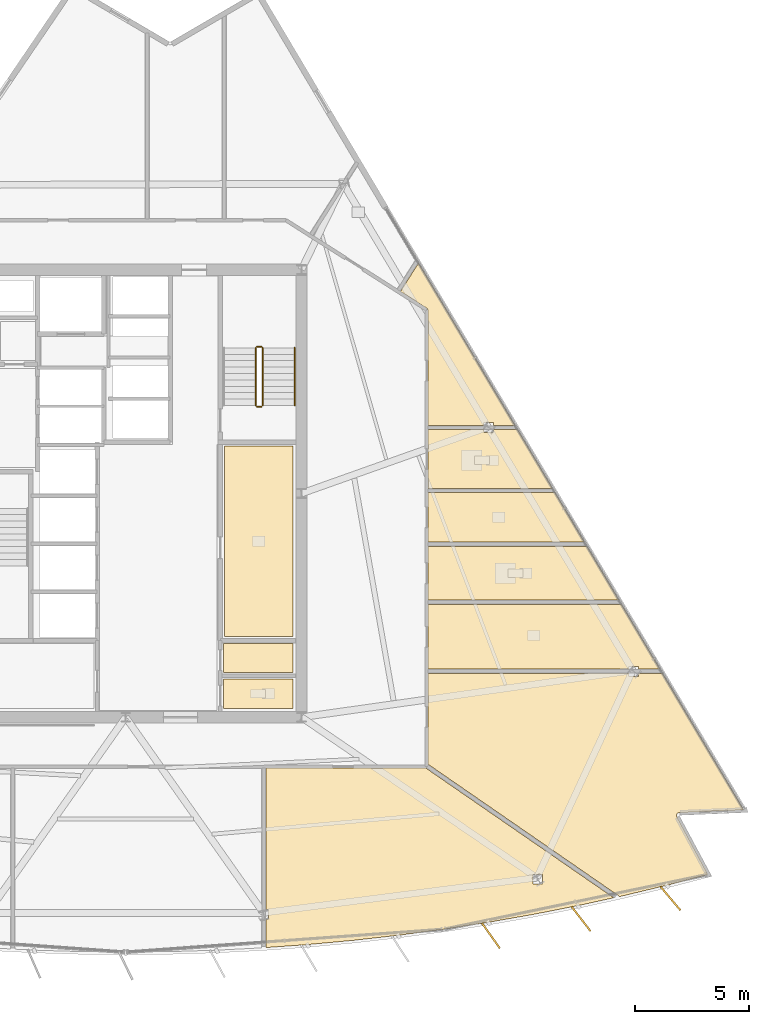
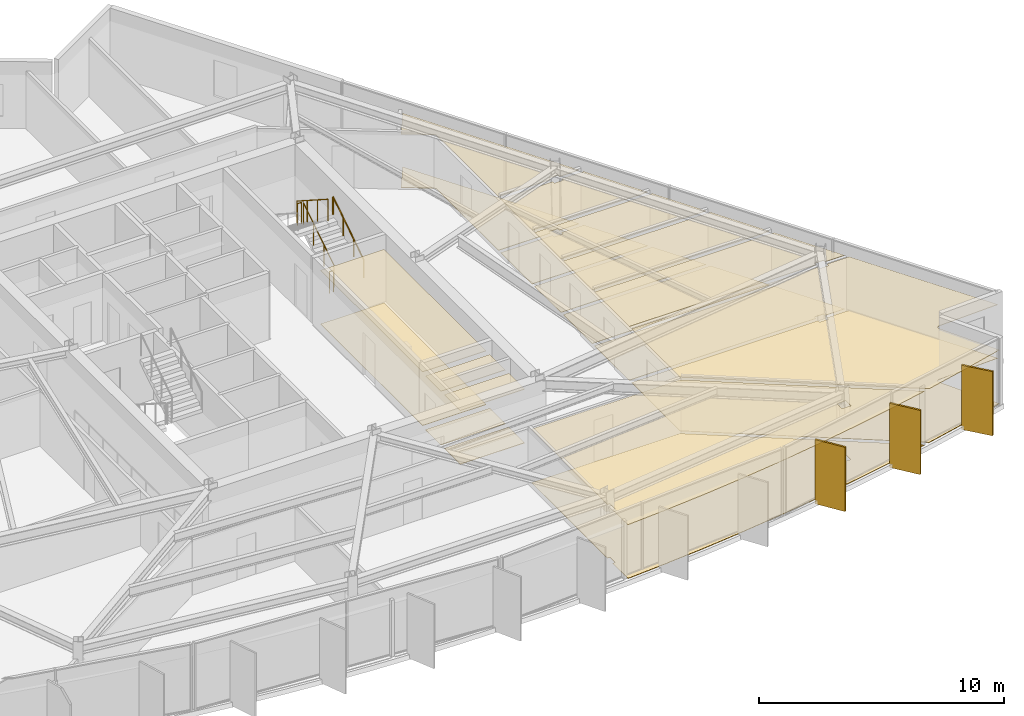
# One storey, part 13 of 15: 20 coverings, 5 railings, 3 shading devices.
"""IFC4 building model written with IfcOpenShell, lengths in metres."""

import ifcopenshell
import ifcopenshell.guid

model = None  # the IFC model being written
_history = None  # IfcOwnerHistory: only IFC2X3 demands one
_inside = {}  # id of a spatial element -> (the spatial element, [elements in it])
_under = {}  # id of a project, library or spatial element -> (it, [spatial elements below it])
_declared = {}  # id of a project -> (the project, [libraries it declares])
_typed = {}  # id of a type object -> (the type object, [elements of that type])
_made_of = {}  # id of a material, layer set ... -> (it, [elements and type objects made of it])


def new_model(schema):
    """Start an empty IFC model of exactly this schema.

    Asked for "IFC4X3", IfcOpenShell would pick the latest addendum, in which some entities
    have other attributes; the version numbers below select the first issue.
    IFC2X3 requires an IfcOwnerHistory on every rooted entity: one is made here for all.
    """
    global model, _history
    if schema == "IFC4X3":
        model = ifcopenshell.file(schema_version=(4, 3, 0, 0))
    else:
        model = ifcopenshell.file(schema=schema)
    _inside.clear()
    _under.clear()
    _declared.clear()
    _typed.clear()
    _made_of.clear()
    _history = None
    if model.schema == "IFC2X3":
        org = make("IfcOrganization", Name="unknown")
        user = make(
            "IfcPersonAndOrganization",
            ThePerson=make("IfcPerson", FamilyName="unknown"),
            TheOrganization=org,
        )
        app = make(
            "IfcApplication",
            ApplicationDeveloper=org,
            Version="unknown",
            ApplicationFullName="unknown",
            ApplicationIdentifier="unknown",
        )
        _history = make(
            "IfcOwnerHistory",
            OwningUser=user,
            OwningApplication=app,
            ChangeAction="ADDED",
            CreationDate=0,
        )
    return model


def make(cls, **values):
    """One entity of the class cls with the attributes given. An attribute that is None is left unset."""
    return model.create_entity(
        cls, **{name: value for name, value in values.items() if value is not None}
    )


def rooted(cls, **values):
    """An entity with a GlobalId (a new one), such as an element, a storey or a relation."""
    return make(cls, GlobalId=ifcopenshell.guid.new(), OwnerHistory=_history, **values)


def si_unit(unit_type, name, prefix=None):
    """IfcSIUnit, for example si_unit("LENGTHUNIT", "METRE", prefix="MILLI")."""
    return make("IfcSIUnit", UnitType=unit_type, Prefix=prefix, Name=name)


def assignment(units):
    """IfcUnitAssignment: the units of a project."""
    return None if units is None else make("IfcUnitAssignment", Units=units)


def point(xyz):
    """IfcCartesianPoint."""
    return None if xyz is None else make("IfcCartesianPoint", Coordinates=xyz)


def direction(xyz):
    """IfcDirection."""
    return None if xyz is None else make("IfcDirection", DirectionRatios=xyz)


def frame(location, z_axis=None, x_axis=None):
    """IfcAxis2Placement3D, a coordinate frame: its origin and axes. An axis left out is left unset."""
    return make(
        "IfcAxis2Placement3D",
        Location=point(location),
        Axis=direction(z_axis),
        RefDirection=direction(x_axis),
    )


def frame_2d(location, x_axis=None):
    """IfcAxis2Placement2D, a coordinate frame in the plane: its origin and x axis."""
    return make(
        "IfcAxis2Placement2D", Location=point(location), RefDirection=direction(x_axis)
    )


def origin():
    """The frame at (0, 0, 0) with its axes left unset."""
    return frame((0.0, 0.0, 0.0))


def origin_2d():
    """The frame at (0, 0) in the plane with its x axis left unset."""
    return frame_2d((0.0, 0.0))


def place(relative_to, where):
    """IfcLocalPlacement: puts the frame where relative to a parent placement (None: the world)."""
    return make(
        "IfcLocalPlacement", PlacementRelTo=relative_to, RelativePlacement=where
    )


def context(
    kind, dimensions, precision=None, world=None, true_north=None, identifier=None
):
    """IfcGeometricRepresentationContext, for example the 3D "Model" context."""
    return make(
        "IfcGeometricRepresentationContext",
        ContextIdentifier=identifier,
        ContextType=kind,
        CoordinateSpaceDimension=dimensions,
        Precision=precision,
        WorldCoordinateSystem=world,
        TrueNorth=true_north,
    )


def subcontext(parent, identifier, kind, view, scale=None):
    """IfcGeometricRepresentationSubContext, for example "Body" below "Model"."""
    return make(
        "IfcGeometricRepresentationSubContext",
        ContextIdentifier=identifier,
        ContextType=kind,
        ParentContext=parent,
        TargetScale=scale,
        TargetView=view,
    )


def project(units=None, contexts=None):
    """IfcProject with its units and contexts."""
    return rooted(
        "IfcProject",
        Name="project",
        RepresentationContexts=contexts,
        UnitsInContext=assignment(units),
    )


def spatial(cls, under=None, at=None, **own):
    """A site, building, storey or space (cls), placed at a placement, below another one or the project."""
    s = rooted(cls, ObjectPlacement=at, **own)
    if under is not None:
        _under.setdefault(under.id(), (under, []))[1].append(s)
    return s


def polyline(points):
    """IfcPolyline through the points."""
    return make("IfcPolyline", Points=[point(p) for p in points])


def profile(cls, at=None, kind="AREA", **sizes):
    """A parametric profile (cls). Its sizes go by their IFC names, for example OverallWidth=200.0."""
    return make(cls, ProfileType=kind, Position=at, **sizes)


def rectangle(**sizes):
    """IfcRectangleProfileDef."""
    return profile("IfcRectangleProfileDef", **sizes)


def circle(**sizes):
    """IfcCircleProfileDef."""
    return profile("IfcCircleProfileDef", **sizes)


def outline(outer, holes=None, kind="AREA"):
    """IfcArbitraryClosedProfileDef: a profile drawn as a closed curve; with holes, ...WithVoids."""
    if holes is None:
        return make("IfcArbitraryClosedProfileDef", ProfileType=kind, OuterCurve=outer)
    return make(
        "IfcArbitraryProfileDefWithVoids",
        ProfileType=kind,
        OuterCurve=outer,
        InnerCurves=holes,
    )


def extrude(swept, where, along, depth):
    """IfcExtrudedAreaSolid: the profile swept, set in the frame where, extruded along a direction by depth."""
    return make(
        "IfcExtrudedAreaSolid",
        SweptArea=swept,
        Position=where,
        ExtrudedDirection=direction(along),
        Depth=depth,
    )


def shape(context_of_items, identifier, shape_type, items):
    """IfcShapeRepresentation: the items that make up one representation, for example the "Body"."""
    return make(
        "IfcShapeRepresentation",
        ContextOfItems=context_of_items,
        RepresentationIdentifier=identifier,
        RepresentationType=shape_type,
        Items=items,
    )


def material(Name=None, Category=None):
    """IfcMaterial."""
    return make("IfcMaterial", Name=Name, Category=Category)


def layer(
    of_material, thickness, ventilated=None, Name=None, Category=None, Priority=None
):
    """IfcMaterialLayer: one layer of a wall or slab, of a material (None: an air gap)."""
    return make(
        "IfcMaterialLayer",
        Material=of_material,
        LayerThickness=thickness,
        IsVentilated=ventilated,
        Name=Name,
        Category=Category,
        Priority=Priority,
    )


def layer_set(layers, Name=None):
    """IfcMaterialLayerSet."""
    return make("IfcMaterialLayerSet", MaterialLayers=layers, LayerSetName=Name)


def made_of(thing, what):
    """Note that an element or type object is made of a material, layer set ...; save() writes the relation."""
    if what is not None:
        _made_of.setdefault(what.id(), (what, []))[1].append(thing)
    return thing


def type_object(cls, material=None, **own):
    """A type object (cls), such as IfcWallType, which elements share."""
    return made_of(rooted(cls, **own), material)


def element(
    cls,
    number,
    at=None,
    inside=None,
    cuts=None,
    type_object=None,
    material=None,
    context=None,
    identifier="Body",
    shape_type=None,
    held_by="IfcProductDefinitionShape",
    body=None,
    shapes=None,
    **own,
):
    """One element of the class cls, such as IfcWall. Its Tag is "e" and its number.

    at: its placement. inside: the storey or other place that contains it. cuts: it is an
    opening in that element (IfcRelVoidsElement). A single representation is given by context,
    identifier, shape_type and body (its items); several are given by shapes. held_by: the class
    of the entity that holds the representations. save() writes the other relations.
    """
    e = rooted(cls, Tag="e%d" % number, ObjectPlacement=at, **own)
    if body is not None:
        shapes = [shape(context, identifier, shape_type, body)]
    if shapes is not None:
        e.Representation = make(held_by, Representations=shapes)
    if inside is not None:
        _inside.setdefault(inside.id(), (inside, []))[1].append(e)
    if cuts is not None:
        rooted(
            "IfcRelVoidsElement", RelatingBuildingElement=cuts, RelatedOpeningElement=e
        )
    if type_object is not None:
        _typed.setdefault(type_object.id(), (type_object, []))[1].append(e)
    return made_of(e, material)


def aggregate(whole, parts):
    """IfcRelAggregates: a whole, such as a stair, and the parts it consists of."""
    return rooted("IfcRelAggregates", RelatingObject=whole, RelatedObjects=parts)


def save(model, path):
    """Write the relations noted so far, then the file.

    IfcRelAggregates (storeys below a building ...), IfcRelContainedInSpatialStructure (elements
    in a storey), IfcRelDefinesByType, IfcRelAssociatesMaterial and IfcRelDeclares: one each for
    every whole, place, type object, material and project.
    """
    for whole, parts in _under.values():
        aggregate(whole, parts)
    for where, things in _inside.values():
        rooted(
            "IfcRelContainedInSpatialStructure",
            RelatedElements=things,
            RelatingStructure=where,
        )
    for kind, things in _typed.values():
        rooted("IfcRelDefinesByType", RelatedObjects=things, RelatingType=kind)
    for what, things in _made_of.values():
        rooted("IfcRelAssociatesMaterial", RelatedObjects=things, RelatingMaterial=what)
    for by, libraries in _declared.values():
        rooted("IfcRelDeclares", RelatingContext=by, RelatedDefinitions=libraries)
    model.write(path)


model = new_model("IFC4")

# Units and contexts
model_context = context("Model", 3, precision=1e-05, world=origin(), true_north=direction((0.0, 1.0)))
body_context = subcontext(model_context, "Body", "Model", "MODEL_VIEW")
ifc_project = project(units=[si_unit("LENGTHUNIT", "METRE"), si_unit("AREAUNIT", "SQUARE_METRE"), si_unit("VOLUMEUNIT", "CUBIC_METRE"), si_unit("PLANEANGLEUNIT", "RADIAN"), si_unit("MASSUNIT", "GRAM", prefix="KILO")], contexts=[model_context])

# Site, building, storey
site_placement = place(None, origin())
site = spatial("IfcSite", under=ifc_project, at=site_placement, CompositionType="ELEMENT")
building_placement = place(site_placement, origin())
building = spatial("IfcBuilding", under=site, at=building_placement, Name="Savorim Split Tower", CompositionType="ELEMENT")
storey_placement = place(building_placement, frame((0.0, 0.0, 142.199951171875)))
storey = spatial("IfcBuildingStorey", under=building, at=storey_placement, Name="L37", CompositionType="ELEMENT", Elevation=142.199951171875)

# Coverings
ifc_material_1 = material(Name="Mineral Fibre Acoustic Ceiling")
ifc_layer_1 = layer(ifc_material_1, 0.02490234375)
ifc_layer_set_1 = layer_set([ifc_layer_1], Name="COV-CEIL-25")
covering_type_1 = type_object("IfcCoveringType", Name="COV-CEIL-25", PredefinedType="CEILING", material=ifc_layer_set_1)
covering_1_placement = place(storey_placement, frame((0.0, 0.0, 2.670166015625)))
element("IfcCovering", 1, at=covering_1_placement, inside=storey, type_object=covering_type_1, Name="L37 Community Laundry Room Acoustic Ceiling", PredefinedType="CEILING", context=body_context, shape_type="SweptSolid", body=[
    extrude(outline(polyline([(4.330078125, 2.469970703125), (4.330078125, -5.8701171875), (7.320068359375, -5.8701171875), (7.320068359375, 2.469970703125), (4.330078125, 2.469970703125)])), origin(), (0.0, 0.0, 1.0), 0.02490234375),
])
covering_2_placement = place(storey_placement, frame((0.0, 0.0, 2.670166015625)))
element("IfcCovering", 2, at=covering_2_placement, inside=storey, type_object=covering_type_1, Name="L37 Accessible WC Acoustic Ceiling", PredefinedType="CEILING", context=body_context, shape_type="SweptSolid", body=[
    extrude(outline(polyline([(4.280029296875, -7.719970703125), (4.280029296875, -9.02001953125), (7.320068359375, -9.02001953125), (7.320068359375, -7.719970703125), (4.280029296875, -7.719970703125)])), origin(), (0.0, 0.0, 1.0), 0.02490234375),
])
covering_3_placement = place(storey_placement, frame((0.0, 0.0, 2.670166015625)))
element("IfcCovering", 3, at=covering_3_placement, inside=storey, type_object=covering_type_1, Name="L37 Cleaning Store Acoustic Ceiling", PredefinedType="CEILING", context=body_context, shape_type="SweptSolid", body=[
    extrude(outline(polyline([(4.280029296875, -6.179931640625), (4.280029296875, -7.43994140625), (7.320068359375, -7.43994140625), (7.320068359375, -6.179931640625), (4.280029296875, -6.179931640625)])), origin(), (0.0, 0.0, 1.0), 0.02490234375),
])
covering_4_placement = place(storey_placement, frame((0.0, 0.0, 2.670166015625)))
element("IfcCovering", 4, at=covering_4_placement, inside=storey, type_object=covering_type_1, Name="L37 Co-Working Commons Acoustic Ceiling", PredefinedType="CEILING", context=body_context, shape_type="SweptSolid", body=[
    extrude(outline(polyline([(15.89599609375, -18.37744140625), (17.86181640625, -18.031982421875), (19.8203125, -17.646484375), (21.37646484375, -17.306884765625), (13.13330078125, -11.61572265625), (13.127197265625, -11.6171875), (13.11376953125, -11.619384765625), (13.10009765625, -11.6201171875), (6.142822265625, -11.6201171875), (6.142822265625, -17.816650390625), (6.259765625, -17.816650390625), (6.259765625, -18.24365234375), (6.142822265625, -18.24365234375), (6.142822265625, -19.443115234375), (6.142822265625, -19.486328125), (7.974853515625, -19.35498046875), (9.962158203125, -19.17138671875), (11.945556640625, -18.947265625), (13.923828125, -18.6826171875), (15.89599609375, -18.37744140625)]), holes=[polyline([(18.2568359375, -16.703369140625), (18.2568359375, -16.2763671875), (17.832763671875, -16.2763671875), (17.832763671875, -16.703369140625), (18.2568359375, -16.703369140625)])]), origin(), (0.0, 0.0, 1.0), 0.02490234375),
])
covering_5_placement = place(storey_placement, frame((0.0, 0.0, 2.670166015625)))
element("IfcCovering", 5, at=covering_5_placement, inside=storey, type_object=covering_type_1, Name="L37 Maker Workshop Acoustic Ceiling", PredefinedType="CEILING", context=body_context, shape_type="SweptSolid", body=[
    extrude(outline(polyline([(24.2138671875, -13.5810546875), (24.22509765625, -13.5791015625), (24.236572265625, -13.577880859375), (27.058837890625, -13.457763671875), (23.489501953125, -7.455078125), (23.489501953125, -7.488037109375), (22.464599609375, -7.488037109375), (22.464599609375, -7.606689453125), (22.04052734375, -7.606689453125), (22.04052734375, -7.488037109375), (13.239990234375, -7.488037109375), (13.239990234375, -11.45849609375), (21.630615234375, -17.25146484375), (21.770263671875, -17.220947265625), (23.711181640625, -16.755615234375), (25.495849609375, -16.288818359375), (24.135986328125, -13.75439453125), (24.131103515625, -13.744140625), (24.127197265625, -13.7333984375), (24.124267578125, -13.72216796875), (24.122314453125, -13.710693359375), (24.12158203125, -13.69921875), (24.1220703125, -13.6875), (24.123779296875, -13.67626953125), (24.126220703125, -13.664794921875), (24.1298828125, -13.654052734375), (24.134765625, -13.6435546875), (24.140380859375, -13.63330078125), (24.147216796875, -13.6240234375), (24.154541015625, -13.615234375), (24.162841796875, -13.607421875), (24.172119140625, -13.60009765625), (24.181640625, -13.593994140625), (24.19189453125, -13.588623046875), (24.20263671875, -13.584228515625), (24.2138671875, -13.5810546875)])), origin(), (0.0, 0.0, 1.0), 0.02490234375),
])
covering_6_placement = place(storey_placement, frame((0.0, 0.0, 2.670166015625)))
element("IfcCovering", 6, at=covering_6_placement, inside=storey, type_object=covering_type_1, Name="L37 Shared Kitchen Acoustic Ceiling", PredefinedType="CEILING", context=body_context, shape_type="SweptSolid", body=[
    extrude(outline(polyline([(22.464599609375, -7.1796875), (22.464599609375, -7.298095703125), (23.39453125, -7.298095703125), (23.396240234375, -7.298095703125), (21.713134765625, -4.4677734375), (13.239990234375, -4.4677734375), (13.239990234375, -7.298095703125), (22.04052734375, -7.298095703125), (22.04052734375, -7.1796875), (22.464599609375, -7.1796875)])), origin(), (0.0, 0.0, 1.0), 0.02490234375),
])
covering_7_placement = place(storey_placement, frame((0.0, 0.0, 2.670166015625)))
element("IfcCovering", 7, at=covering_7_placement, inside=storey, type_object=covering_type_1, Name="L37 Shared Bathroom Acoustic Ceiling", PredefinedType="CEILING", context=body_context, shape_type="SweptSolid", body=[
    extrude(outline(polyline([(21.60009765625, -4.277587890625), (20.195556640625, -1.915283203125), (13.239990234375, -1.915283203125), (13.239990234375, -4.277587890625), (21.60009765625, -4.277587890625)])), origin(), (0.0, 0.0, 1.0), 0.02490234375),
])
covering_8_placement = place(storey_placement, frame((0.0, 0.0, 2.670166015625)))
element("IfcCovering", 8, at=covering_8_placement, inside=storey, type_object=covering_type_1, Name="L37 Shared Kitchen Acoustic Ceiling", PredefinedType="CEILING", context=body_context, shape_type="SweptSolid", body=[
    extrude(outline(polyline([(20.08251953125, -1.725341796875), (18.80078125, 0.43017578125), (13.239990234375, 0.43017578125), (13.239990234375, -1.725341796875), (20.08251953125, -1.725341796875)])), origin(), (0.0, 0.0, 1.0), 0.02490234375),
])
covering_9_placement = place(storey_placement, frame((0.0, 0.0, 2.670166015625)))
element("IfcCovering", 9, at=covering_9_placement, inside=storey, type_object=covering_type_1, Name="L37 Shared Bathroom Acoustic Ceiling", PredefinedType="CEILING", context=body_context, shape_type="SweptSolid", body=[
    extrude(outline(polyline([(15.69140625, 3.071044921875), (15.69140625, 3.189453125), (13.239990234375, 3.189453125), (13.239990234375, 0.6201171875), (18.68798828125, 0.6201171875), (17.140380859375, 3.222412109375), (17.140380859375, 3.189453125), (16.115478515625, 3.189453125), (16.115478515625, 3.071044921875), (15.69140625, 3.071044921875)])), origin(), (0.0, 0.0, 1.0), 0.02490234375),
])
covering_10_placement = place(storey_placement, frame((0.0, 0.0, 2.670166015625)))
element("IfcCovering", 10, at=covering_10_placement, inside=storey, type_object=covering_type_1, Name="L37 Co-Living Bedroom Acoustic Ceiling", PredefinedType="CEILING", context=body_context, shape_type="SweptSolid", body=[
    extrude(outline(polyline([(16.115478515625, 3.498046875), (16.115478515625, 3.37939453125), (17.04541015625, 3.37939453125), (17.047119140625, 3.37939453125), (12.8232421875, 10.48291015625), (12.034912109375, 9.243408203125), (13.175048828125, 8.51806640625), (13.1865234375, 8.510009765625), (13.197265625, 8.500732421875), (13.206787109375, 8.490478515625), (13.21533203125, 8.479248046875), (13.22265625, 8.46728515625), (13.22900390625, 8.45458984375), (13.233642578125, 8.44140625), (13.2373046875, 8.427978515625), (13.2392578125, 8.4140625), (13.239990234375, 8.39990234375), (13.239990234375, 3.37939453125), (15.69140625, 3.37939453125), (15.69140625, 3.498046875), (16.115478515625, 3.498046875)])), origin(), (0.0, 0.0, 1.0), 0.02490234375),
])
ifc_material_2 = material(Name="Porcelain Stoneware Flooring", Category="masonry")
ifc_layer_2 = layer(ifc_material_2, 0.02001953125)
ifc_layer_set_2 = layer_set([ifc_layer_2], Name="COV-FLOR-20")
covering_type_2 = type_object("IfcCoveringType", Name="COV-FLOR-20", PredefinedType="FLOORING", material=ifc_layer_set_2)
covering_11_placement = place(storey_placement, origin())
element("IfcCovering", 11, at=covering_11_placement, inside=storey, type_object=covering_type_2, Name="L37 Community Laundry Room Porcelain Flooring", PredefinedType="FLOORING", context=body_context, shape_type="SweptSolid", body=[
    extrude(outline(polyline([(4.330078125, 2.469970703125), (4.330078125, -5.8701171875), (7.320068359375, -5.8701171875), (7.320068359375, 2.469970703125), (4.330078125, 2.469970703125)])), origin(), (0.0, 0.0, 1.0), 0.02001953125),
])
covering_12_placement = place(storey_placement, origin())
element("IfcCovering", 12, at=covering_12_placement, inside=storey, type_object=covering_type_2, Name="L37 Accessible WC Porcelain Flooring", PredefinedType="FLOORING", context=body_context, shape_type="SweptSolid", body=[
    extrude(outline(polyline([(4.280029296875, -7.719970703125), (4.280029296875, -9.02001953125), (7.320068359375, -9.02001953125), (7.320068359375, -7.719970703125), (4.280029296875, -7.719970703125)])), origin(), (0.0, 0.0, 1.0), 0.02001953125),
])
covering_13_placement = place(storey_placement, origin())
element("IfcCovering", 13, at=covering_13_placement, inside=storey, type_object=covering_type_2, Name="L37 Cleaning Store Porcelain Flooring", PredefinedType="FLOORING", context=body_context, shape_type="SweptSolid", body=[
    extrude(outline(polyline([(4.280029296875, -6.179931640625), (4.280029296875, -7.43994140625), (7.320068359375, -7.43994140625), (7.320068359375, -6.179931640625), (4.280029296875, -6.179931640625)])), origin(), (0.0, 0.0, 1.0), 0.02001953125),
])
covering_14_placement = place(storey_placement, origin())
element("IfcCovering", 14, at=covering_14_placement, inside=storey, type_object=covering_type_2, Name="L37 Co-Working Commons Porcelain Flooring", PredefinedType="FLOORING", context=body_context, shape_type="SweptSolid", body=[
    extrude(outline(polyline([(15.89599609375, -18.37744140625), (17.86181640625, -18.031982421875), (19.8203125, -17.646484375), (21.37646484375, -17.306884765625), (13.13330078125, -11.61572265625), (13.127197265625, -11.6171875), (13.11376953125, -11.619384765625), (13.10009765625, -11.6201171875), (6.142822265625, -11.6201171875), (6.142822265625, -17.816650390625), (6.259765625, -17.816650390625), (6.259765625, -18.24365234375), (6.142822265625, -18.24365234375), (6.142822265625, -19.443115234375), (6.142822265625, -19.486328125), (7.974853515625, -19.35498046875), (9.962158203125, -19.17138671875), (11.945556640625, -18.947265625), (13.923828125, -18.6826171875), (15.89599609375, -18.37744140625)]), holes=[polyline([(18.2568359375, -16.703369140625), (18.2568359375, -16.2763671875), (17.832763671875, -16.2763671875), (17.832763671875, -16.703369140625), (18.2568359375, -16.703369140625)])]), origin(), (0.0, 0.0, 1.0), 0.02001953125),
])
covering_15_placement = place(storey_placement, origin())
element("IfcCovering", 15, at=covering_15_placement, inside=storey, type_object=covering_type_2, Name="L37 Maker Workshop Porcelain Flooring", PredefinedType="FLOORING", context=body_context, shape_type="SweptSolid", body=[
    extrude(outline(polyline([(24.2138671875, -13.5810546875), (24.22509765625, -13.5791015625), (24.236572265625, -13.577880859375), (27.058837890625, -13.457763671875), (23.489501953125, -7.455078125), (23.489501953125, -7.488037109375), (22.464599609375, -7.488037109375), (22.464599609375, -7.606689453125), (22.04052734375, -7.606689453125), (22.04052734375, -7.488037109375), (13.239990234375, -7.488037109375), (13.239990234375, -11.45849609375), (21.630615234375, -17.25146484375), (21.770263671875, -17.220947265625), (23.711181640625, -16.755615234375), (25.495849609375, -16.288818359375), (24.135986328125, -13.75439453125), (24.131103515625, -13.744140625), (24.127197265625, -13.7333984375), (24.124267578125, -13.72216796875), (24.122314453125, -13.710693359375), (24.12158203125, -13.69921875), (24.1220703125, -13.6875), (24.123779296875, -13.67626953125), (24.126220703125, -13.664794921875), (24.1298828125, -13.654052734375), (24.134765625, -13.6435546875), (24.140380859375, -13.63330078125), (24.147216796875, -13.6240234375), (24.154541015625, -13.615234375), (24.162841796875, -13.607421875), (24.172119140625, -13.60009765625), (24.181640625, -13.593994140625), (24.19189453125, -13.588623046875), (24.20263671875, -13.584228515625), (24.2138671875, -13.5810546875)])), origin(), (0.0, 0.0, 1.0), 0.02001953125),
])
covering_16_placement = place(storey_placement, origin())
element("IfcCovering", 16, at=covering_16_placement, inside=storey, type_object=covering_type_2, Name="L37 Shared Kitchen Porcelain Flooring", PredefinedType="FLOORING", context=body_context, shape_type="SweptSolid", body=[
    extrude(outline(polyline([(22.464599609375, -7.1796875), (22.464599609375, -7.298095703125), (23.39453125, -7.298095703125), (23.396240234375, -7.298095703125), (21.713134765625, -4.4677734375), (13.239990234375, -4.4677734375), (13.239990234375, -7.298095703125), (22.04052734375, -7.298095703125), (22.04052734375, -7.1796875), (22.464599609375, -7.1796875)])), origin(), (0.0, 0.0, 1.0), 0.02001953125),
])
covering_17_placement = place(storey_placement, origin())
element("IfcCovering", 17, at=covering_17_placement, inside=storey, type_object=covering_type_2, Name="L37 Shared Bathroom Porcelain Flooring", PredefinedType="FLOORING", context=body_context, shape_type="SweptSolid", body=[
    extrude(outline(polyline([(21.60009765625, -4.277587890625), (20.195556640625, -1.915283203125), (13.239990234375, -1.915283203125), (13.239990234375, -4.277587890625), (21.60009765625, -4.277587890625)])), origin(), (0.0, 0.0, 1.0), 0.02001953125),
])
covering_18_placement = place(storey_placement, origin())
element("IfcCovering", 18, at=covering_18_placement, inside=storey, type_object=covering_type_2, Name="L37 Shared Kitchen Porcelain Flooring", PredefinedType="FLOORING", context=body_context, shape_type="SweptSolid", body=[
    extrude(outline(polyline([(20.08251953125, -1.725341796875), (18.80078125, 0.43017578125), (13.239990234375, 0.43017578125), (13.239990234375, -1.725341796875), (20.08251953125, -1.725341796875)])), origin(), (0.0, 0.0, 1.0), 0.02001953125),
])
covering_19_placement = place(storey_placement, origin())
element("IfcCovering", 19, at=covering_19_placement, inside=storey, type_object=covering_type_2, Name="L37 Shared Bathroom Porcelain Flooring", PredefinedType="FLOORING", context=body_context, shape_type="SweptSolid", body=[
    extrude(outline(polyline([(15.69140625, 3.071044921875), (15.69140625, 3.189453125), (13.239990234375, 3.189453125), (13.239990234375, 0.6201171875), (18.68798828125, 0.6201171875), (17.140380859375, 3.222412109375), (17.140380859375, 3.189453125), (16.115478515625, 3.189453125), (16.115478515625, 3.071044921875), (15.69140625, 3.071044921875)])), origin(), (0.0, 0.0, 1.0), 0.02001953125),
])
covering_20_placement = place(storey_placement, origin())
element("IfcCovering", 20, at=covering_20_placement, inside=storey, type_object=covering_type_2, Name="L37 Co-Living Bedroom Porcelain Flooring", PredefinedType="FLOORING", context=body_context, shape_type="SweptSolid", body=[
    extrude(outline(polyline([(16.115478515625, 3.498046875), (16.115478515625, 3.37939453125), (17.04541015625, 3.37939453125), (17.047119140625, 3.37939453125), (12.8232421875, 10.48291015625), (12.034912109375, 9.243408203125), (13.175048828125, 8.51806640625), (13.1865234375, 8.510009765625), (13.197265625, 8.500732421875), (13.206787109375, 8.490478515625), (13.21533203125, 8.479248046875), (13.22265625, 8.46728515625), (13.22900390625, 8.45458984375), (13.233642578125, 8.44140625), (13.2373046875, 8.427978515625), (13.2392578125, 8.4140625), (13.239990234375, 8.39990234375), (13.239990234375, 3.37939453125), (15.69140625, 3.37939453125), (15.69140625, 3.498046875), (16.115478515625, 3.498046875)])), origin(), (0.0, 0.0, 1.0), 0.02001953125),
])

# Railings
ifc_material_3 = material(Name="Galvanised Painted Steel Balustrade", Category="steel")
railing_type_1 = type_object("IfcRailingType", Name="RLG-HR-900", PredefinedType="HANDRAIL", material=ifc_material_3)
railing_1_placement = place(storey_placement, frame((7.39990234375, 4.25, 0.179931640625)))
element("IfcRailing", 21, at=railing_1_placement, inside=storey, type_object=railing_type_1, Name="L37 ST-2 stair handrail 1", PredefinedType="HANDRAIL", context=body_context, shape_type="SweptSolid", body=[
    extrude(circle(Radius=0.02392578125, at=origin_2d()), frame((0.0, 0.0, 0.8759765625), z_axis=(0.0, 0.841162588446, 0.540782303519), x_axis=(-1.0, 0.0, 0.0)), (0.0, 0.0, 1.0), 2.995849609375),
    extrude(circle(Radius=0.02099609375, at=origin_2d()), origin(), (0.0, 0.0, 1.0), 0.851806640625),
    extrude(circle(Radius=0.02099609375, at=origin_2d()), frame((0.0, 0.840087890625, 0.5400390625)), (0.0, 0.0, 1.0), 0.851806640625),
    extrude(circle(Radius=0.02099609375, at=origin_2d()), frame((0.0, 1.679931640625, 1.080078125)), (0.0, 0.0, 1.0), 0.851806640625),
    extrude(circle(Radius=0.02099609375, at=origin_2d()), frame((0.0, 2.52001953125, 1.6201171875)), (0.0, 0.0, 1.0), 0.851806640625),
])
railing_type_2 = type_object("IfcRailingType", Name="RLG-STG-1100", PredefinedType="BALUSTRADE", material=ifc_material_3)
railing_2_placement = place(storey_placement, frame((6.0, 4.25, 0.179931640625)))
element("IfcRailing", 22, at=railing_2_placement, inside=storey, type_object=railing_type_2, Name="L37 ST-2 stair guard 1", PredefinedType="BALUSTRADE", context=body_context, shape_type="SweptSolid", body=[
    extrude(circle(Radius=0.02392578125, at=origin_2d()), frame((0.0, 0.0, 1.076171875), z_axis=(0.0, 0.841162588446, 0.540782303519), x_axis=(-1.0, 0.0, 0.0)), (0.0, 0.0, 1.0), 2.995849609375),
    extrude(circle(Radius=0.02099609375, at=origin_2d()), origin(), (0.0, 0.0, 1.0), 1.052001953125),
    extrude(circle(Radius=0.02099609375, at=origin_2d()), frame((0.0, 0.840087890625, 0.5400390625)), (0.0, 0.0, 1.0), 1.052001953125),
    extrude(circle(Radius=0.02099609375, at=origin_2d()), frame((0.0, 1.679931640625, 1.080078125)), (0.0, 0.0, 1.0), 1.052001953125),
    extrude(circle(Radius=0.02099609375, at=origin_2d()), frame((0.0, 2.52001953125, 1.6201171875)), (0.0, 0.0, 1.0), 1.052001953125),
])
railing_3_placement = place(storey_placement, frame((5.949951171875, 6.820068359375, 1.800048828125)))
element("IfcRailing", 23, at=railing_3_placement, inside=storey, type_object=railing_type_2, Name="L37 ST-2 stair guard 2", PredefinedType="BALUSTRADE", context=body_context, shape_type="SweptSolid", body=[
    extrude(circle(Radius=0.02392578125, at=origin_2d()), frame((0.0, 0.0, 1.076171875), z_axis=(-1.0, 0.0, 0.0), x_axis=(0.0, -1.0, 0.0)), (0.0, 0.0, 1.0), 0.199951171875),
    extrude(circle(Radius=0.02099609375, at=origin_2d()), origin(), (0.0, 0.0, 1.0), 1.052001953125),
    extrude(circle(Radius=0.02099609375, at=origin_2d()), frame((-0.199951171875, 0.0, 0.0)), (0.0, 0.0, 1.0), 1.052001953125),
])
railing_4_placement = place(storey_placement, frame((5.699951171875, 6.77001953125, 1.97998046875)))
element("IfcRailing", 24, at=railing_4_placement, inside=storey, type_object=railing_type_2, Name="L37 ST-2 stair guard 3", PredefinedType="BALUSTRADE", context=body_context, shape_type="SweptSolid", body=[
    extrude(circle(Radius=0.02392578125, at=origin_2d()), frame((0.0, 0.0, 1.076171875), z_axis=(0.0, -0.841162588446, 0.540782303519), x_axis=(1.0, 0.0, 0.0)), (0.0, 0.0, 1.0), 2.995849609375),
    extrude(circle(Radius=0.02099609375, at=origin_2d()), origin(), (0.0, 0.0, 1.0), 1.052001953125),
    extrude(circle(Radius=0.02099609375, at=origin_2d()), frame((0.0, -0.840087890625, 0.5400390625)), (0.0, 0.0, 1.0), 1.052001953125),
    extrude(circle(Radius=0.02099609375, at=origin_2d()), frame((0.0, -1.679931640625, 1.080078125)), (0.0, 0.0, 1.0), 1.052001953125),
    extrude(circle(Radius=0.02099609375, at=origin_2d()), frame((0.0, -2.52001953125, 1.6201171875)), (0.0, 0.0, 1.0), 1.052001953125),
])
railing_5_placement = place(storey_placement, frame((5.949951171875, 4.199951171875, 0.0)))
element("IfcRailing", 25, at=railing_5_placement, inside=storey, type_object=railing_type_2, Name="L37 ST-2 stair guard 4", PredefinedType="BALUSTRADE", context=body_context, shape_type="SweptSolid", body=[
    extrude(circle(Radius=0.02392578125, at=origin_2d()), frame((0.0, 0.0, 1.076171875), z_axis=(-1.0, 0.0, 0.0), x_axis=(0.0, -1.0, 0.0)), (0.0, 0.0, 1.0), 0.199951171875),
    extrude(circle(Radius=0.02099609375, at=origin_2d()), origin(), (0.0, 0.0, 1.0), 1.052001953125),
    extrude(circle(Radius=0.02099609375, at=origin_2d()), frame((-0.199951171875, 0.0, 0.0)), (0.0, 0.0, 1.0), 1.052001953125),
])

# Shading devices
ifc_material_4 = material(Name="Terracotta Ceramic-Coated Aluminium Fin", Category="masonry")
shading_device_type = type_object("IfcShadingDeviceType", Name="SHD-FIN-1360", PredefinedType="USERDEFINED", material=ifc_material_4)
for number, where, z_axis, x_axis, name in (
    (26, (15.993408203125, -18.965576171875, -0.19970703125), (0.0, 0.0, 1.0), (0.578993757737, -0.815331974414, 0.0), "L37 Sawtooth Shading Fin 11"),
    (27, (19.94140625, -18.22998046875, -0.19970703125), (0.0, 0.0, 1.0), (0.611868076908, -0.790959832394, 0.0), "L37 Sawtooth Shading Fin 12"),
    (28, (23.85595703125, -17.333740234375, -0.19970703125), (0.0, 0.0, 1.0), (0.643719022682, -0.765261928909, 0.0), "L37 Sawtooth Shading Fin 13"),
):
    element("IfcShadingDevice", number, at=place(storey_placement, frame(where, z_axis=z_axis, x_axis=x_axis)), inside=storey, type_object=shading_device_type, Name=name, ObjectType="FIN", PredefinedType="USERDEFINED", context=body_context, shape_type="SweptSolid", body=[
        extrude(rectangle(XDim=1.360107421875, YDim=0.080078125, at=origin_2d()), origin(), (0.0, 0.0, 1.0), 3.199951171875),
    ])

save(model, "model.ifc")
